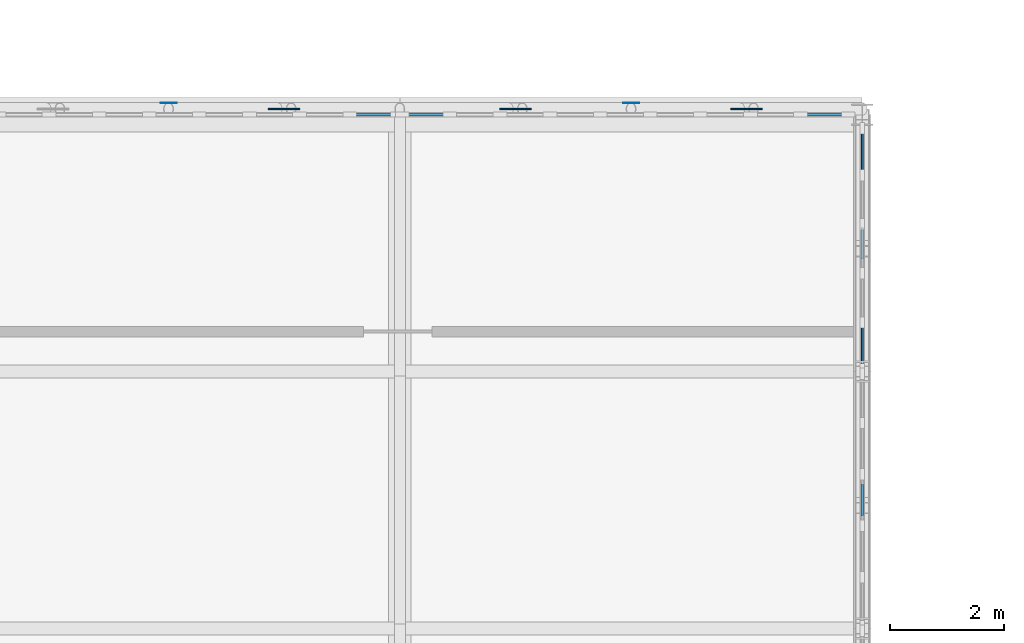
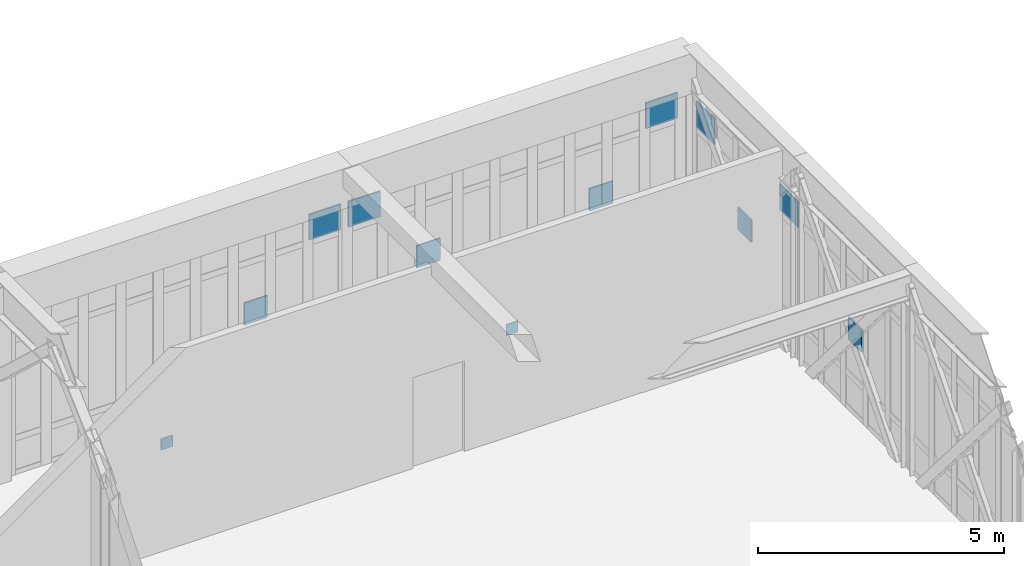
# One storey, part 56 of 70: 12 plates, 3 elements without a shape of their own.
"""IFC4 building model written with IfcOpenShell, lengths in metres."""

import ifcopenshell
import ifcopenshell.guid

model = None  # the IFC model being written
_history = None  # IfcOwnerHistory: only IFC2X3 demands one
_inside = {}  # id of a spatial element -> (the spatial element, [elements in it])
_under = {}  # id of a project, library or spatial element -> (it, [spatial elements below it])
_declared = {}  # id of a project -> (the project, [libraries it declares])
_typed = {}  # id of a type object -> (the type object, [elements of that type])
_made_of = {}  # id of a material, layer set ... -> (it, [elements and type objects made of it])


def new_model(schema):
    """Start an empty IFC model of exactly this schema.

    Asked for "IFC4X3", IfcOpenShell would pick the latest addendum, in which some entities
    have other attributes; the version numbers below select the first issue.
    IFC2X3 requires an IfcOwnerHistory on every rooted entity: one is made here for all.
    """
    global model, _history
    if schema == "IFC4X3":
        model = ifcopenshell.file(schema_version=(4, 3, 0, 0))
    else:
        model = ifcopenshell.file(schema=schema)
    _inside.clear()
    _under.clear()
    _declared.clear()
    _typed.clear()
    _made_of.clear()
    _history = None
    if model.schema == "IFC2X3":
        org = make("IfcOrganization", Name="unknown")
        user = make(
            "IfcPersonAndOrganization",
            ThePerson=make("IfcPerson", FamilyName="unknown"),
            TheOrganization=org,
        )
        app = make(
            "IfcApplication",
            ApplicationDeveloper=org,
            Version="unknown",
            ApplicationFullName="unknown",
            ApplicationIdentifier="unknown",
        )
        _history = make(
            "IfcOwnerHistory",
            OwningUser=user,
            OwningApplication=app,
            ChangeAction="ADDED",
            CreationDate=0,
        )
    return model


def make(cls, **values):
    """One entity of the class cls with the attributes given. An attribute that is None is left unset."""
    return model.create_entity(
        cls, **{name: value for name, value in values.items() if value is not None}
    )


def rooted(cls, **values):
    """An entity with a GlobalId (a new one), such as an element, a storey or a relation."""
    return make(cls, GlobalId=ifcopenshell.guid.new(), OwnerHistory=_history, **values)


def si_unit(unit_type, name, prefix=None):
    """IfcSIUnit, for example si_unit("LENGTHUNIT", "METRE", prefix="MILLI")."""
    return make("IfcSIUnit", UnitType=unit_type, Prefix=prefix, Name=name)


def assignment(units):
    """IfcUnitAssignment: the units of a project."""
    return None if units is None else make("IfcUnitAssignment", Units=units)


def point(xyz):
    """IfcCartesianPoint."""
    return None if xyz is None else make("IfcCartesianPoint", Coordinates=xyz)


def direction(xyz):
    """IfcDirection."""
    return None if xyz is None else make("IfcDirection", DirectionRatios=xyz)


def frame(location, z_axis=None, x_axis=None):
    """IfcAxis2Placement3D, a coordinate frame: its origin and axes. An axis left out is left unset."""
    return make(
        "IfcAxis2Placement3D",
        Location=point(location),
        Axis=direction(z_axis),
        RefDirection=direction(x_axis),
    )


def frame_2d(location, x_axis=None):
    """IfcAxis2Placement2D, a coordinate frame in the plane: its origin and x axis."""
    return make(
        "IfcAxis2Placement2D", Location=point(location), RefDirection=direction(x_axis)
    )


def origin():
    """The frame at (0, 0, 0) with its axes left unset."""
    return frame((0.0, 0.0, 0.0))


def origin_2d():
    """The frame at (0, 0) in the plane with its x axis left unset."""
    return frame_2d((0.0, 0.0))


def place(relative_to, where):
    """IfcLocalPlacement: puts the frame where relative to a parent placement (None: the world)."""
    return make(
        "IfcLocalPlacement", PlacementRelTo=relative_to, RelativePlacement=where
    )


def context(
    kind, dimensions, precision=None, world=None, true_north=None, identifier=None
):
    """IfcGeometricRepresentationContext, for example the 3D "Model" context."""
    return make(
        "IfcGeometricRepresentationContext",
        ContextIdentifier=identifier,
        ContextType=kind,
        CoordinateSpaceDimension=dimensions,
        Precision=precision,
        WorldCoordinateSystem=world,
        TrueNorth=true_north,
    )


def subcontext(parent, identifier, kind, view, scale=None):
    """IfcGeometricRepresentationSubContext, for example "Body" below "Model"."""
    return make(
        "IfcGeometricRepresentationSubContext",
        ContextIdentifier=identifier,
        ContextType=kind,
        ParentContext=parent,
        TargetScale=scale,
        TargetView=view,
    )


def project(units=None, contexts=None):
    """IfcProject with its units and contexts."""
    return rooted(
        "IfcProject",
        Name="project",
        RepresentationContexts=contexts,
        UnitsInContext=assignment(units),
    )


def spatial(cls, under=None, at=None, **own):
    """A site, building, storey or space (cls), placed at a placement, below another one or the project."""
    s = rooted(cls, ObjectPlacement=at, **own)
    if under is not None:
        _under.setdefault(under.id(), (under, []))[1].append(s)
    return s


def profile(cls, at=None, kind="AREA", **sizes):
    """A parametric profile (cls). Its sizes go by their IFC names, for example OverallWidth=200.0."""
    return make(cls, ProfileType=kind, Position=at, **sizes)


def rectangle(**sizes):
    """IfcRectangleProfileDef."""
    return profile("IfcRectangleProfileDef", **sizes)


def extrude(swept, where, along, depth):
    """IfcExtrudedAreaSolid: the profile swept, set in the frame where, extruded along a direction by depth."""
    return make(
        "IfcExtrudedAreaSolid",
        SweptArea=swept,
        Position=where,
        ExtrudedDirection=direction(along),
        Depth=depth,
    )


def shape(context_of_items, identifier, shape_type, items):
    """IfcShapeRepresentation: the items that make up one representation, for example the "Body"."""
    return make(
        "IfcShapeRepresentation",
        ContextOfItems=context_of_items,
        RepresentationIdentifier=identifier,
        RepresentationType=shape_type,
        Items=items,
    )


def material(Name=None, Category=None):
    """IfcMaterial."""
    return make("IfcMaterial", Name=Name, Category=Category)


def layer(
    of_material, thickness, ventilated=None, Name=None, Category=None, Priority=None
):
    """IfcMaterialLayer: one layer of a wall or slab, of a material (None: an air gap)."""
    return make(
        "IfcMaterialLayer",
        Material=of_material,
        LayerThickness=thickness,
        IsVentilated=ventilated,
        Name=Name,
        Category=Category,
        Priority=Priority,
    )


def layer_set(layers, Name=None):
    """IfcMaterialLayerSet."""
    return make("IfcMaterialLayerSet", MaterialLayers=layers, LayerSetName=Name)


def made_of(thing, what):
    """Note that an element or type object is made of a material, layer set ...; save() writes the relation."""
    if what is not None:
        _made_of.setdefault(what.id(), (what, []))[1].append(thing)
    return thing


def type_object(cls, material=None, **own):
    """A type object (cls), such as IfcWallType, which elements share."""
    return made_of(rooted(cls, **own), material)


def element(
    cls,
    number,
    at=None,
    inside=None,
    cuts=None,
    type_object=None,
    material=None,
    context=None,
    identifier="Body",
    shape_type=None,
    held_by="IfcProductDefinitionShape",
    body=None,
    shapes=None,
    **own,
):
    """One element of the class cls, such as IfcWall. Its Tag is "e" and its number.

    at: its placement. inside: the storey or other place that contains it. cuts: it is an
    opening in that element (IfcRelVoidsElement). A single representation is given by context,
    identifier, shape_type and body (its items); several are given by shapes. held_by: the class
    of the entity that holds the representations. save() writes the other relations.
    """
    e = rooted(cls, Tag="e%d" % number, ObjectPlacement=at, **own)
    if body is not None:
        shapes = [shape(context, identifier, shape_type, body)]
    if shapes is not None:
        e.Representation = make(held_by, Representations=shapes)
    if inside is not None:
        _inside.setdefault(inside.id(), (inside, []))[1].append(e)
    if cuts is not None:
        rooted(
            "IfcRelVoidsElement", RelatingBuildingElement=cuts, RelatedOpeningElement=e
        )
    if type_object is not None:
        _typed.setdefault(type_object.id(), (type_object, []))[1].append(e)
    return made_of(e, material)


def aggregate(whole, parts):
    """IfcRelAggregates: a whole, such as a stair, and the parts it consists of."""
    return rooted("IfcRelAggregates", RelatingObject=whole, RelatedObjects=parts)


def save(model, path):
    """Write the relations noted so far, then the file.

    IfcRelAggregates (storeys below a building ...), IfcRelContainedInSpatialStructure (elements
    in a storey), IfcRelDefinesByType, IfcRelAssociatesMaterial and IfcRelDeclares: one each for
    every whole, place, type object, material and project.
    """
    for whole, parts in _under.values():
        aggregate(whole, parts)
    for where, things in _inside.values():
        rooted(
            "IfcRelContainedInSpatialStructure",
            RelatedElements=things,
            RelatingStructure=where,
        )
    for kind, things in _typed.values():
        rooted("IfcRelDefinesByType", RelatedObjects=things, RelatingType=kind)
    for what, things in _made_of.values():
        rooted("IfcRelAssociatesMaterial", RelatedObjects=things, RelatingMaterial=what)
    for by, libraries in _declared.values():
        rooted("IfcRelDeclares", RelatingContext=by, RelatedDefinitions=libraries)
    model.write(path)


model = new_model("IFC4")

# Units and contexts
model_context = context("Model", 3, precision=1e-05, world=origin(), true_north=direction((0.0, 1.0)))
body_context = subcontext(model_context, "Body", "Model", "MODEL_VIEW")
ifc_project = project(units=[si_unit("LENGTHUNIT", "METRE"), si_unit("AREAUNIT", "SQUARE_METRE"), si_unit("VOLUMEUNIT", "CUBIC_METRE"), si_unit("PLANEANGLEUNIT", "RADIAN"), si_unit("MASSUNIT", "GRAM", prefix="KILO")], contexts=[model_context])

# Site, building, storey
site_placement = place(None, origin())
site = spatial("IfcSite", under=ifc_project, at=site_placement, CompositionType="ELEMENT")
building_placement = place(site_placement, origin())
building = spatial("IfcBuilding", under=site, at=building_placement, Name="Tarnveldt Square Police Headquarters", CompositionType="ELEMENT")
storey_placement = place(building_placement, frame((0.0, 0.0, 19.800048828125)))
storey = spatial("IfcBuildingStorey", under=building, at=storey_placement, Name="L04", CompositionType="ELEMENT", Elevation=19.800048828125)

# Curtain wall, plate
ifc_material_1 = material(Name="UL 752 Level III laminated ballistic vision glass", Category="glass")
curtain_wall_type_1 = type_object("IfcCurtainWallType", Name="CW-BL-790x409", PredefinedType="USERDEFINED", material=ifc_material_1)
curtain_wall_1_placement = place(storey_placement, origin())
curtain_wall_1 = element("IfcCurtainWall", 1, at=curtain_wall_1_placement, inside=storey, type_object=curtain_wall_type_1, Name="L04 Curtain Wall CW-L04-048", ObjectType="BALLISTIC CURTAIN WALL", PredefinedType="USERDEFINED")
ifc_layer_1 = layer(ifc_material_1, 0.0380859375)
ifc_layer_set_1 = layer_set([ifc_layer_1], Name="UL 752 Level III laminated ballistic vision glass")
plate_type_1 = type_object("IfcPlateType", Name="CWP-BAL-38", PredefinedType="CURTAIN_PANEL", material=ifc_layer_set_1)
plate_1_placement = place(storey_placement, frame((56.239990234375, 34.0, 3.37939453125), z_axis=(0.0, 0.0, 1.0), x_axis=(1.0, 0.0, 0.0)))
plate_1 = element("IfcPlate", 2, at=plate_1_placement, type_object=plate_type_1, Name="CW-BL19 panel 9.3", PredefinedType="CURTAIN_PANEL", context=body_context, shape_type="SweptSolid", body=[
    extrude(rectangle(XDim=0.75, YDim=0.0380859375, at=origin_2d()), origin(), (0.0, 0.0, 1.0), 0.637451171875),
])
aggregate(curtain_wall_1, [plate_1])

# Curtain wall, plates
curtain_wall_2_placement = place(storey_placement, origin())
curtain_wall_2 = element("IfcCurtainWall", 3, at=curtain_wall_2_placement, inside=storey, type_object=curtain_wall_type_1, Name="L04 Curtain Wall CW-L04-049", ObjectType="BALLISTIC CURTAIN WALL", PredefinedType="USERDEFINED")
plate_2_placement = place(storey_placement, frame((57.159912109375, 34.0, 3.37939453125), z_axis=(0.0, 0.0, 1.0), x_axis=(1.0, 0.0, 0.0)))
plate_2 = element("IfcPlate", 4, at=plate_2_placement, type_object=plate_type_1, Name="CW-BL19 panel 1.3", PredefinedType="CURTAIN_PANEL", context=body_context, shape_type="SweptSolid", body=[
    extrude(rectangle(XDim=0.75, YDim=0.0380859375, at=origin_2d()), origin(), (0.0, 0.0, 1.0), 0.637451171875),
])
plate_3_placement = place(storey_placement, frame((64.137939453125, 34.0, 3.37939453125), z_axis=(0.0, 0.0, 1.0), x_axis=(1.0, 0.0, 0.0)))
plate_3 = element("IfcPlate", 5, at=plate_3_placement, type_object=plate_type_1, Name="CW-BL19 panel 9.3", PredefinedType="CURTAIN_PANEL", context=body_context, shape_type="SweptSolid", body=[
    extrude(rectangle(XDim=0.75, YDim=0.0380859375, at=origin_2d()), origin(), (0.0, 0.0, 1.0), 0.637451171875),
])
aggregate(curtain_wall_2, [plate_2, plate_3])

ifc_material_2 = material(Name="Triple-glazed low-e laminated vision glass", Category="glass")
curtain_wall_type_2 = type_object("IfcCurtainWallType", Name="CW-LT-430x395", PredefinedType="USERDEFINED", material=ifc_material_2)
curtain_wall_3_placement = place(storey_placement, origin())
curtain_wall_3 = element("IfcCurtainWall", 6, at=curtain_wall_3_placement, inside=storey, type_object=curtain_wall_type_2, Name="L04 Curtain Wall CW-L04-061", ObjectType="GLAZED CURTAIN WALL", PredefinedType="USERDEFINED")
ifc_layer_2 = layer(ifc_material_2, 0.028076171875)
ifc_layer_set_2 = layer_set([ifc_layer_2], Name="Triple-glazed low-e laminated vision glass")
plate_type_2 = type_object("IfcPlateType", Name="CWP-VIS-28", PredefinedType="CURTAIN_PANEL", material=ifc_layer_set_2)
plate_4_placement = place(storey_placement, frame((64.800048828125, 29.948486328125, 3.2392578125), z_axis=(0.0, 0.0, 1.0), x_axis=(0.0, 1.0, 0.0)))
plate_4 = element("IfcPlate", 7, at=plate_4_placement, type_object=plate_type_2, Name="CW-LT23 panel 1.3", PredefinedType="CURTAIN_PANEL", context=body_context, shape_type="SweptSolid", body=[
    extrude(rectangle(XDim=0.7470703125, YDim=0.028076171875, at=origin_2d()), origin(), (0.0, 0.0, 1.0), 0.637451171875),
])
plate_5_placement = place(storey_placement, frame((64.800048828125, 33.349365234375, 3.2392578125), z_axis=(0.0, 0.0, 1.0), x_axis=(0.0, 1.0, 0.0)))
plate_5 = element("IfcPlate", 8, at=plate_5_placement, type_object=plate_type_2, Name="CW-LT23 panel 5.3", PredefinedType="CURTAIN_PANEL", context=body_context, shape_type="SweptSolid", body=[
    extrude(rectangle(XDim=0.7470703125, YDim=0.028076171875, at=origin_2d()), origin(), (0.0, 0.0, 1.0), 0.637451171875),
])
aggregate(curtain_wall_3, [plate_4, plate_5])

# Plates
ifc_material_3 = material(Name="Steel 350W", Category="steel")
ifc_layer_3 = layer(ifc_material_3, 0.011962890625)
ifc_layer_set_3 = layer_set([ifc_layer_3], Name="Steel 350W")
plate_type_3 = type_object("IfcPlateType", Name="PLT-CAP-12", PredefinedType="USERDEFINED", material=ifc_layer_set_3)
for number, where, z_axis, x_axis, name in (
    (9, (52.64990234375, 34.205078125, -0.783203125), (0.0, 0.0, 1.0), (1.0, 0.0, 0.0), "Node KN-LT1 HSS End Cap Plate N-L04-6"),
    (10, (60.75, 34.205078125, -0.783203125), (0.0, 0.0, 1.0), (1.0, 0.0, 0.0), "Node KN-LT1 HSS End Cap Plate N-L04-7"),
):
    element("IfcPlate", number, at=place(storey_placement, frame(where, z_axis=z_axis, x_axis=x_axis)), inside=storey, type_object=plate_type_3, Name=name, ObjectType="END CAP PLATE", PredefinedType="USERDEFINED", context=body_context, shape_type="SweptSolid", body=[
        extrude(rectangle(XDim=0.280029296875, YDim=0.011962890625, at=origin_2d()), origin(), (0.0, 0.0, 1.0), 0.280029296875),
    ])
ifc_layer_4 = layer(ifc_material_3, 0.031982421875)
ifc_layer_set_4 = layer_set([ifc_layer_4], Name="Steel 350W")
plate_type_4 = type_object("IfcPlateType", Name="PLT-GUS-32", PredefinedType="SHEET", material=ifc_layer_set_4)
for number, where, z_axis, x_axis, name in (
    (11, (54.675048828125, 34.10009765625, 1.7236328125), (0.0, 0.0, 1.0), (1.0, 0.0, 0.0), "Command Lantern N Lattice Crossing Gusset Plate 6.2"),
    (12, (58.72509765625, 34.10009765625, 1.7236328125), (0.0, 0.0, 1.0), (1.0, 0.0, 0.0), "Command Lantern N Lattice Crossing Gusset Plate 7.1"),
    (13, (62.77490234375, 34.10009765625, 1.7236328125), (0.0, 0.0, 1.0), (1.0, 0.0, 0.0), "Command Lantern N Lattice Crossing Gusset Plate 7.2"),
):
    element("IfcPlate", number, at=place(storey_placement, frame(where, z_axis=z_axis, x_axis=x_axis)), inside=storey, type_object=plate_type_4, Name=name, PredefinedType="SHEET", context=body_context, shape_type="SweptSolid", body=[
        extrude(rectangle(XDim=0.550048828125, YDim=0.031982421875, at=origin_2d()), origin(), (0.0, 0.0, 1.0), 0.550048828125),
    ])
ifc_layer_5 = layer(ifc_material_3, 0.0419921875)
ifc_layer_set_5 = layer_set([ifc_layer_5], Name="Steel 350W")
plate_type_5 = type_object("IfcPlateType", Name="PLT-GUS-42", PredefinedType="SHEET", material=ifc_layer_set_5)
for number, where, z_axis, x_axis, name in (
    (14, (64.800048828125, 31.75, 1.7236328125), (0.0, 0.0, 1.0), (1.0, 0.0, 0.0), "Cantilever Truss CT-4 L04 Centre Gusset Plate 1"),
    (15, (64.800048828125, 27.25, 1.7236328125), (0.0, 0.0, 1.0), (1.0, 0.0, 0.0), "Cantilever Truss CT-4 L04 Centre Gusset Plate 2"),
):
    element("IfcPlate", number, at=place(storey_placement, frame(where, z_axis=z_axis, x_axis=x_axis)), inside=storey, type_object=plate_type_5, Name=name, PredefinedType="SHEET", context=body_context, shape_type="SweptSolid", body=[
        extrude(rectangle(XDim=0.0419921875, YDim=0.550048828125, at=origin_2d()), origin(), (0.0, 0.0, 1.0), 0.550048828125),
    ])

save(model, "model.ifc")
